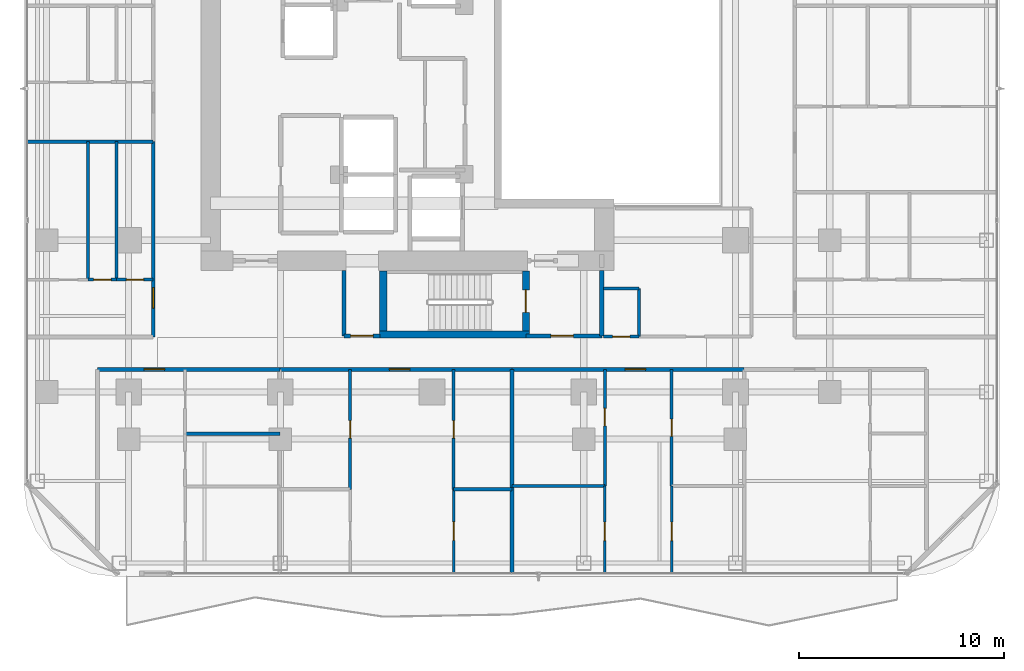
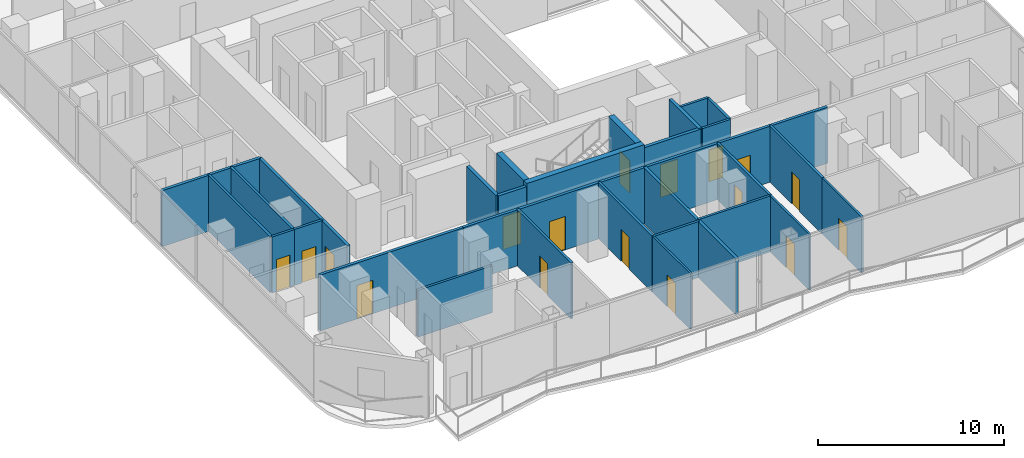
# One storey, part 18 of 29: 30 walls, 17 doors, 17 openings.
"""IFC4 building model written with IfcOpenShell, lengths in metres."""

from ifc_helpers import new_model, si_unit, direction, frame, frame_2d, origin, place, context, subcontext, project, spatial, rectangle, extrude, material, layer, layer_set, type_object, element, fill, save


model = new_model("IFC4")

# Units and contexts
model_context = context("Model", 3, precision=1e-05, world=origin(), true_north=direction((0.0, 1.0)))
body_context = subcontext(model_context, "Body", "Model", "MODEL_VIEW")
ifc_project = project(units=[si_unit("LENGTHUNIT", "METRE"), si_unit("AREAUNIT", "SQUARE_METRE"), si_unit("VOLUMEUNIT", "CUBIC_METRE"), si_unit("PLANEANGLEUNIT", "RADIAN"), si_unit("MASSUNIT", "GRAM", prefix="KILO")], contexts=[model_context])

# Site, building, storey
site_placement = place(None, origin())
site = spatial("IfcSite", under=ifc_project, at=site_placement, CompositionType="ELEMENT")
building_placement = place(site_placement, origin())
building = spatial("IfcBuilding", under=site, at=building_placement, Name="Khorvyn Point Tower", CompositionType="ELEMENT")
storey_placement = place(building_placement, frame((0.0, 0.0, 144.60009765625)))
storey = spatial("IfcBuildingStorey", under=building, at=storey_placement, Name="L36", CompositionType="ELEMENT", Elevation=144.60009765625)

# Wall, opening, door
ifc_material_1 = material(Name="Double acoustic gypsum on twin steel stud", Category="steel")
ifc_layer_1 = layer(ifc_material_1, 0.179931640625)
ifc_layer_set_1 = layer_set([ifc_layer_1], Name="Acoustic Double-Stud Apartment Demising Wall 180")
wall_type_1 = type_object("IfcWallType", Name="Acoustic Double-Stud Apartment Demising Wall 180", PredefinedType="PARTITIONING", material=ifc_layer_set_1)
wall_1_placement = place(storey_placement, frame((-16.320068359375, -13.699951171875, 0.0), z_axis=(0.0, 0.0, 1.0), x_axis=(1.0, 0.0, 0.0)))
wall_1 = element("IfcWall", 1, at=wall_1_placement, inside=storey, type_object=wall_type_1, Name="Wall", PredefinedType="PARTITIONING", context=body_context, shape_type="SweptSolid", body=[
    extrude(rectangle(XDim=8.89697265625, YDim=0.179931640625, at=frame_2d((4.448486328125, 0.0))), origin(), (0.0, 0.0, 1.0), 3.679931640625),
])
opening_1_placement = place(wall_1_placement, frame((2.2744140625, 0.0, 0.0)))
opening_1 = element("IfcOpeningElement", 2, at=opening_1_placement, cuts=wall_1, Name="Opening ID-AP60", PredefinedType="OPENING", context=body_context, shape_type="SweptSolid", body=[
    extrude(rectangle(XDim=1.0, YDim=2.199951171875, at=frame_2d((0.5, 1.10009765625))), frame((0.0, 0.099853515625, 0.0), z_axis=(0.0, -1.0, 0.0), x_axis=(1.0, 0.0, 0.0)), (0.0, 0.0, 1.0), 0.199951171875),
])
ifc_material_2 = material(Name="Engineered hardwood fire-rated leaf", Category="wood")
door_type_1 = type_object("IfcDoorType", Name="Acoustic Solid-Core Timber Apartment Entrance Door 1000x2200", OperationType="NOTDEFINED", PredefinedType="DOOR", material=ifc_material_2)
door_1_placement = place(opening_1_placement, origin())
door_1 = element("IfcDoor", 3, at=door_1_placement, inside=storey, type_object=door_type_1, Name="Door", OperationType="SINGLE_SWING_LEFT", OverallHeight=2.199951171875, OverallWidth=1.0, PredefinedType="DOOR", context=body_context, shape_type="SweptSolid", body=[
    extrude(rectangle(XDim=1.0, YDim=2.199951171875, at=frame_2d((0.5, 1.10009765625))), frame((0.0, 0.02490234375, 0.0), z_axis=(0.0, -1.0, 0.0), x_axis=(1.0, 0.0, 0.0)), (0.0, 0.0, 1.0), 0.050048828125),
])
fill(opening_1, door_1)

wall_2_placement = place(storey_placement, frame((-7.423095703125, -13.699951171875, 0.0), z_axis=(0.0, 0.0, 1.0), x_axis=(1.0, 0.0, 0.0)))
wall_2 = element("IfcWall", 4, at=wall_2_placement, inside=storey, type_object=wall_type_1, Name="Wall", PredefinedType="PARTITIONING", context=body_context, shape_type="SweptSolid", body=[
    extrude(rectangle(XDim=11.322998046875, YDim=0.179931640625, at=frame_2d((5.66162109375, 0.0))), origin(), (0.0, 0.0, 1.0), 3.679931640625),
])
opening_2_placement = place(wall_2_placement, frame((5.340087890625, 0.0, 0.0)))
opening_2 = element("IfcOpeningElement", 5, at=opening_2_placement, cuts=wall_2, Name="Opening ID-AP60", PredefinedType="OPENING", context=body_context, shape_type="SweptSolid", body=[
    extrude(rectangle(XDim=1.0, YDim=2.199951171875, at=frame_2d((0.5, 1.10009765625))), frame((0.0, 0.099853515625, 0.0), z_axis=(0.0, -1.0, 0.0), x_axis=(1.0, 0.0, 0.0)), (0.0, 0.0, 1.0), 0.199951171875),
])
door_2_placement = place(opening_2_placement, origin())
door_2 = element("IfcDoor", 6, at=door_2_placement, inside=storey, type_object=door_type_1, Name="Door", OperationType="SINGLE_SWING_LEFT", OverallHeight=2.199951171875, OverallWidth=1.0, PredefinedType="DOOR", context=body_context, shape_type="SweptSolid", body=[
    extrude(rectangle(XDim=1.0, YDim=2.199951171875, at=frame_2d((0.5, 1.10009765625))), frame((0.0, 0.02490234375, 0.0), z_axis=(0.0, -1.0, 0.0), x_axis=(1.0, 0.0, 0.0)), (0.0, 0.0, 1.0), 0.050048828125),
])
fill(opening_2, door_2)

wall_3_placement = place(storey_placement, frame((3.89990234375, -13.699951171875, 0.0), z_axis=(0.0, 0.0, 1.0), x_axis=(1.0, 0.0, 0.0)))
wall_3 = element("IfcWall", 7, at=wall_3_placement, inside=storey, type_object=wall_type_1, Name="Wall", PredefinedType="PARTITIONING", context=body_context, shape_type="SweptSolid", body=[
    extrude(rectangle(XDim=11.322998046875, YDim=0.179931640625, at=frame_2d((5.66162109375, 0.0))), origin(), (0.0, 0.0, 1.0), 3.679931640625),
])
opening_3_placement = place(wall_3_placement, frame((5.518798828125, 0.0, 0.0)))
opening_3 = element("IfcOpeningElement", 8, at=opening_3_placement, cuts=wall_3, Name="Opening ID-AP60", PredefinedType="OPENING", context=body_context, shape_type="SweptSolid", body=[
    extrude(rectangle(XDim=1.0, YDim=2.199951171875, at=frame_2d((0.5, 1.10009765625))), frame((0.0, 0.099853515625, 0.0), z_axis=(0.0, -1.0, 0.0), x_axis=(1.0, 0.0, 0.0)), (0.0, 0.0, 1.0), 0.199951171875),
])
door_3_placement = place(opening_3_placement, origin())
door_3 = element("IfcDoor", 9, at=door_3_placement, inside=storey, type_object=door_type_1, Name="Door", OperationType="SINGLE_SWING_RIGHT", OverallHeight=2.199951171875, OverallWidth=1.0, PredefinedType="DOOR", context=body_context, shape_type="SweptSolid", body=[
    extrude(rectangle(XDim=1.0, YDim=2.199951171875, at=frame_2d((0.5, 1.10009765625))), frame((0.0, 0.02490234375, 0.0), z_axis=(0.0, -1.0, 0.0), x_axis=(1.0, 0.0, 0.0)), (0.0, 0.0, 1.0), 0.050048828125),
])
fill(opening_3, door_3)

wall_4_placement = place(storey_placement, frame((-13.60009765625, -12.1201171875, 0.0), z_axis=(0.0, 0.0, 1.0), x_axis=(0.0, 1.0, 0.0)))
wall_4 = element("IfcWall", 10, at=wall_4_placement, inside=storey, type_object=wall_type_1, Name="Wall", PredefinedType="PARTITIONING", context=body_context, shape_type="SweptSolid", body=[
    extrude(rectangle(XDim=9.5341796875, YDim=0.179931640625, at=frame_2d((4.76708984375, 0.0))), origin(), (0.0, 0.0, 1.0), 3.679931640625),
])
opening_4_placement = place(wall_4_placement, frame((1.409912109375, 0.0, 0.0)))
opening_4 = element("IfcOpeningElement", 11, at=opening_4_placement, cuts=wall_4, Name="Opening ID-AP60", PredefinedType="OPENING", context=body_context, shape_type="SweptSolid", body=[
    extrude(rectangle(XDim=1.0, YDim=2.199951171875, at=frame_2d((0.5, 1.10009765625))), frame((0.0, 0.099853515625, 0.0), z_axis=(0.0, -1.0, 0.0), x_axis=(1.0, 0.0, 0.0)), (0.0, 0.0, 1.0), 0.199951171875),
])
door_4_placement = place(opening_4_placement, origin())
door_4 = element("IfcDoor", 12, at=door_4_placement, inside=storey, type_object=door_type_1, Name="Door", OperationType="SINGLE_SWING_LEFT", OverallHeight=2.199951171875, OverallWidth=1.0, PredefinedType="DOOR", context=body_context, shape_type="SweptSolid", body=[
    extrude(rectangle(XDim=1.0, YDim=2.199951171875, at=frame_2d((0.5, 1.10009765625))), frame((0.0, 0.02490234375, 0.0), z_axis=(0.0, -1.0, 0.0), x_axis=(1.0, 0.0, 0.0)), (0.0, 0.0, 1.0), 0.050048828125),
])
fill(opening_4, door_4)

# Walls
wall_5_placement = place(storey_placement, frame((3.89990234375, -23.6298828125, 0.0), z_axis=(0.0, 0.0, 1.0), x_axis=(0.0, 1.0, 0.0)))
element("IfcWall", 13, at=wall_5_placement, inside=storey, type_object=wall_type_1, Name="Wall", PredefinedType="PARTITIONING", context=body_context, shape_type="SweptSolid", body=[
    extrude(rectangle(XDim=9.929931640625, YDim=0.179931640625, at=frame_2d((4.96484375, 0.0))), origin(), (0.0, 0.0, 1.0), 3.679931640625),
])
wall_6_placement = place(storey_placement, frame((-19.72998046875, -2.5859375, 0.0), z_axis=(0.0, 0.0, 1.0), x_axis=(1.0, 0.0, 0.0)))
element("IfcWall", 14, at=wall_6_placement, inside=storey, type_object=wall_type_1, Name="Wall", PredefinedType="PARTITIONING", context=body_context, shape_type="SweptSolid", body=[
    extrude(rectangle(XDim=6.1298828125, YDim=0.179931640625, at=frame_2d((3.06494140625, 0.0))), origin(), (0.0, 0.0, 1.0), 3.679931640625),
])

# Wall, opening, door
ifc_material_3 = material(Name="Concrete C40/50", Category="concrete")
ifc_layer_2 = layer(ifc_material_3, 0.199951171875)
ifc_layer_set_2 = layer_set([ifc_layer_2], Name="Concrete C40/50 Fire-Lobby Compartment Wall 200")
wall_type_2 = type_object("IfcWallType", Name="Concrete C40/50 Fire-Lobby Compartment Wall 200", PredefinedType="SOLIDWALL", material=ifc_layer_set_2)
wall_7_placement = place(storey_placement, frame((4.580078125, -12.06005859375, 0.0), z_axis=(0.0, 0.0, 1.0), x_axis=(1.0, 0.0, 0.0)))
wall_7 = element("IfcWall", 15, at=wall_7_placement, inside=storey, type_object=wall_type_2, Name="Wall", PredefinedType="SOLIDWALL", context=body_context, shape_type="SweptSolid", body=[
    extrude(rectangle(XDim=3.699951171875, YDim=0.199951171875, at=frame_2d((1.85009765625, 0.0))), origin(), (0.0, 0.0, 1.0), 3.679931640625),
])
opening_5_placement = place(wall_7_placement, frame((1.21240234375, 0.0, 0.0)))
opening_5 = element("IfcOpeningElement", 16, at=opening_5_placement, cuts=wall_7, Name="Opening ID-FL90", PredefinedType="OPENING", context=body_context, shape_type="SweptSolid", body=[
    extrude(rectangle(XDim=1.10009765625, YDim=2.14990234375, at=frame_2d((0.550048828125, 1.074951171875))), frame((0.0, 0.10986328125, 0.0), z_axis=(0.0, -1.0, 0.0), x_axis=(1.0, 0.0, 0.0)), (0.0, 0.0, 1.0), 0.219970703125),
])
ifc_material_4 = material(Name="Galvanised powder-coated steel", Category="steel")
door_type_2 = type_object("IfcDoorType", Name="Fire-Rated Steel Lobby and Stair Door 1100x2150", OperationType="NOTDEFINED", PredefinedType="DOOR", material=ifc_material_4)
door_5_placement = place(opening_5_placement, origin())
door_5 = element("IfcDoor", 17, at=door_5_placement, inside=storey, type_object=door_type_2, Name="Door", OperationType="SINGLE_SWING_RIGHT", OverallHeight=2.14990234375, OverallWidth=1.10009765625, PredefinedType="DOOR", context=body_context, shape_type="SweptSolid", body=[
    extrude(rectangle(XDim=1.10009765625, YDim=2.14990234375, at=frame_2d((0.550048828125, 1.074951171875))), frame((0.0, 0.02490234375, 0.0), z_axis=(0.0, -1.0, 0.0), x_axis=(1.0, 0.0, 0.0)), (0.0, 0.0, 1.0), 0.050048828125),
])
fill(opening_5, door_5)

wall_8_placement = place(storey_placement, frame((-4.300048828125, -12.06005859375, 0.0), z_axis=(0.0, 0.0, 1.0), x_axis=(1.0, 0.0, 0.0)))
wall_8 = element("IfcWall", 18, at=wall_8_placement, inside=storey, type_object=wall_type_2, Name="Wall", PredefinedType="SOLIDWALL", context=body_context, shape_type="SweptSolid", body=[
    extrude(rectangle(XDim=1.75, YDim=0.199951171875, at=frame_2d((0.875, 0.0))), origin(), (0.0, 0.0, 1.0), 3.679931640625),
])
opening_6_placement = place(wall_8_placement, frame((0.324951171875, 0.0, 0.0)))
opening_6 = element("IfcOpeningElement", 19, at=opening_6_placement, cuts=wall_8, Name="Opening ID-FL90", PredefinedType="OPENING", context=body_context, shape_type="SweptSolid", body=[
    extrude(rectangle(XDim=1.10009765625, YDim=2.14990234375, at=frame_2d((0.550048828125, 1.074951171875))), frame((0.0, 0.10986328125, 0.0), z_axis=(0.0, -1.0, 0.0), x_axis=(1.0, 0.0, 0.0)), (0.0, 0.0, 1.0), 0.219970703125),
])
door_6_placement = place(opening_6_placement, origin())
door_6 = element("IfcDoor", 20, at=door_6_placement, inside=storey, type_object=door_type_2, Name="Door", OperationType="SINGLE_SWING_LEFT", OverallHeight=2.14990234375, OverallWidth=1.10009765625, PredefinedType="DOOR", context=body_context, shape_type="SweptSolid", body=[
    extrude(rectangle(XDim=1.10009765625, YDim=2.14990234375, at=frame_2d((0.550048828125, 1.074951171875))), frame((0.0, 0.02490234375, 0.0), z_axis=(0.0, -1.0, 0.0), x_axis=(1.0, 0.0, 0.0)), (0.0, 0.0, 1.0), 0.050048828125),
])
fill(opening_6, door_6)

# Walls
for number, where, z_axis, x_axis, name in (
    (21, (8.280029296875, -12.06005859375, 0.0), (0.0, 0.0, 1.0), (0.0, 1.0, 0.0), "Wall"),
    (22, (-4.300048828125, -12.06005859375, 0.0), (0.0, 0.0, 1.0), (0.0, 1.0, 0.0), "Wall"),
):
    element("IfcWall", number, at=place(storey_placement, frame(where, z_axis=z_axis, x_axis=x_axis)), inside=storey, type_object=wall_type_2, Name=name, PredefinedType="SOLIDWALL", context=body_context, shape_type="SweptSolid", body=[
        extrude(rectangle(XDim=3.18505859375, YDim=0.199951171875, at=frame_2d((1.592529296875, 0.0))), origin(), (0.0, 0.0, 1.0), 3.679931640625),
    ])
ifc_layer_3 = layer(ifc_material_3, 0.35009765625)
ifc_layer_set_3 = layer_set([ifc_layer_3], Name="Concrete C40/50 Stair Shaft Structural Wall 350")
wall_type_3 = type_object("IfcWallType", Name="Concrete C40/50 Stair Shaft Structural Wall 350", PredefinedType="SHEAR", material=ifc_layer_set_3)
wall_9_placement = place(storey_placement, frame((-2.554931640625, -12.0, 0.0), z_axis=(0.0, 0.0, 1.0), x_axis=(1.0, 0.0, 0.0)))
element("IfcWall", 23, at=wall_9_placement, inside=storey, type_object=wall_type_3, Name="L36 ST-01 South Shaft Wall", PredefinedType="SHEAR", context=body_context, shape_type="SweptSolid", body=[
    extrude(rectangle(XDim=7.309814453125, YDim=0.35009765625, at=frame_2d((3.65478515625, 0.0))), origin(), (0.0, 0.0, 1.0), 3.89990234375),
])
wall_10_placement = place(storey_placement, frame((-2.3798828125, -11.824951171875, 0.0), z_axis=(0.0, 0.0, 1.0), x_axis=(0.0, 1.0, 0.0)))
element("IfcWall", 24, at=wall_10_placement, inside=storey, type_object=wall_type_3, Name="L36 ST-01 West Shaft Wall", PredefinedType="SHEAR", context=body_context, shape_type="SweptSolid", body=[
    extrude(rectangle(XDim=2.925048828125, YDim=0.35009765625, at=frame_2d((1.46240234375, 0.0))), origin(), (0.0, 0.0, 1.0), 3.89990234375),
])

# Wall, opening, door
wall_11_placement = place(storey_placement, frame((4.580078125, -8.89990234375, 0.0), z_axis=(0.0, 0.0, 1.0), x_axis=(0.0, -1.0, 0.0)))
wall_11 = element("IfcWall", 25, at=wall_11_placement, inside=storey, type_object=wall_type_3, Name="L36 ST-01 East Landing Door Wall", PredefinedType="SHEAR", context=body_context, shape_type="SweptSolid", body=[
    extrude(rectangle(XDim=2.925048828125, YDim=0.35009765625, at=frame_2d((1.46240234375, 0.0))), origin(), (0.0, 0.0, 1.0), 3.89990234375),
])
opening_7_placement = place(wall_11_placement, frame((0.91259765625, 0.0, 0.0)))
opening_7 = element("IfcOpeningElement", 26, at=opening_7_placement, cuts=wall_11, Name="Opening ID-FL90", PredefinedType="OPENING", context=body_context, shape_type="SweptSolid", body=[
    extrude(rectangle(XDim=1.10009765625, YDim=2.14990234375, at=frame_2d((0.550048828125, 1.074951171875))), frame((0.0, 0.18505859375, 0.0), z_axis=(0.0, -1.0, 0.0), x_axis=(1.0, 0.0, 0.0)), (0.0, 0.0, 1.0), 0.3701171875),
])
door_7_placement = place(opening_7_placement, origin())
door_7 = element("IfcDoor", 27, at=door_7_placement, inside=storey, type_object=door_type_2, Name="L36 ST-01 Smokeproof Landing Door", OperationType="SINGLE_SWING_RIGHT", OverallHeight=2.14990234375, OverallWidth=1.10009765625, PredefinedType="DOOR", context=body_context, shape_type="SweptSolid", body=[
    extrude(rectangle(XDim=1.10009765625, YDim=2.14990234375, at=frame_2d((0.550048828125, 1.074951171875))), frame((0.0, 0.02490234375, 0.0), z_axis=(0.0, -1.0, 0.0), x_axis=(1.0, 0.0, 0.0)), (0.0, 0.0, 1.0), 0.050048828125),
])
fill(opening_7, door_7)

ifc_material_5 = material(Name="Gypsum plasterboard on steel stud", Category="steel")
ifc_layer_4 = layer(ifc_material_5, 0.1201171875)
ifc_layer_set_4 = layer_set([ifc_layer_4], Name="Gypsum Acoustic Stud Room Partition Wall 120")
wall_type_4 = type_object("IfcWallType", Name="Gypsum Acoustic Stud Room Partition Wall 120", PredefinedType="PARTITIONING", material=ifc_layer_set_4)
wall_12_placement = place(storey_placement, frame((1.050048828125, -23.6298828125, 0.0), z_axis=(0.0, 0.0, 1.0), x_axis=(0.0, 1.0, 0.0)))
wall_12 = element("IfcWall", 28, at=wall_12_placement, inside=storey, type_object=wall_type_4, Name="Wall", PredefinedType="PARTITIONING", context=body_context, shape_type="SweptSolid", body=[
    extrude(rectangle(XDim=4.0849609375, YDim=0.1201171875, at=frame_2d((2.04248046875, 0.0))), origin(), (0.0, 0.0, 1.0), 3.679931640625),
])
opening_8_placement = place(wall_12_placement, frame((1.592529296875, 0.0, 0.0)))
opening_8 = element("IfcOpeningElement", 29, at=opening_8_placement, cuts=wall_12, Name="Opening ID-RM90", PredefinedType="OPENING", context=body_context, shape_type="SweptSolid", body=[
    extrude(rectangle(XDim=0.89990234375, YDim=2.10009765625, at=frame_2d((0.449951171875, 1.050048828125))), frame((0.0, 0.070068359375, 0.0), z_axis=(0.0, -1.0, 0.0), x_axis=(1.0, 0.0, 0.0)), (0.0, 0.0, 1.0), 0.14013671875),
])
ifc_material_6 = material(Name="Engineered oak veneer timber", Category="wood")
door_type_3 = type_object("IfcDoorType", Name="Flush Engineered Timber Room Door 900x2100", OperationType="NOTDEFINED", PredefinedType="DOOR", material=ifc_material_6)
door_8_placement = place(opening_8_placement, origin())
door_8 = element("IfcDoor", 30, at=door_8_placement, inside=storey, type_object=door_type_3, Name="Door", OperationType="SINGLE_SWING_LEFT", OverallHeight=2.10009765625, OverallWidth=0.89990234375, PredefinedType="DOOR", context=body_context, shape_type="SweptSolid", body=[
    extrude(rectangle(XDim=0.89990234375, YDim=2.10009765625, at=frame_2d((0.449951171875, 1.050048828125))), frame((0.0, 0.02490234375, 0.0), z_axis=(0.0, -1.0, 0.0), x_axis=(1.0, 0.0, 0.0)), (0.0, 0.0, 1.0), 0.050048828125),
])
fill(opening_8, door_8)

wall_13_placement = place(storey_placement, frame((8.428955078125, -23.6298828125, 0.0), z_axis=(0.0, 0.0, 1.0), x_axis=(0.0, 1.0, 0.0)))
wall_13 = element("IfcWall", 31, at=wall_13_placement, inside=storey, type_object=wall_type_4, Name="Wall", PredefinedType="PARTITIONING", context=body_context, shape_type="SweptSolid", body=[
    extrude(rectangle(XDim=4.239990234375, YDim=0.1201171875, at=frame_2d((2.1201171875, 0.0))), origin(), (0.0, 0.0, 1.0), 3.679931640625),
])
opening_9_placement = place(wall_13_placement, frame((1.581298828125, 0.0, 0.0)))
opening_9 = element("IfcOpeningElement", 32, at=opening_9_placement, cuts=wall_13, Name="Opening ID-RM90", PredefinedType="OPENING", context=body_context, shape_type="SweptSolid", body=[
    extrude(rectangle(XDim=0.89990234375, YDim=2.10009765625, at=frame_2d((0.449951171875, 1.050048828125))), frame((0.0, 0.070068359375, 0.0), z_axis=(0.0, -1.0, 0.0), x_axis=(1.0, 0.0, 0.0)), (0.0, 0.0, 1.0), 0.14013671875),
])
door_9_placement = place(opening_9_placement, origin())
door_9 = element("IfcDoor", 33, at=door_9_placement, inside=storey, type_object=door_type_3, Name="Door", OperationType="SINGLE_SWING_RIGHT", OverallHeight=2.10009765625, OverallWidth=0.89990234375, PredefinedType="DOOR", context=body_context, shape_type="SweptSolid", body=[
    extrude(rectangle(XDim=0.89990234375, YDim=2.10009765625, at=frame_2d((0.449951171875, 1.050048828125))), frame((0.0, 0.02490234375, 0.0), z_axis=(0.0, -1.0, 0.0), x_axis=(1.0, 0.0, 0.0)), (0.0, 0.0, 1.0), 0.050048828125),
])
fill(opening_9, door_9)

wall_14_placement = place(storey_placement, frame((11.68994140625, -23.6298828125, 0.0), z_axis=(0.0, 0.0, 1.0), x_axis=(0.0, 1.0, 0.0)))
wall_14 = element("IfcWall", 34, at=wall_14_placement, inside=storey, type_object=wall_type_4, Name="Wall", PredefinedType="PARTITIONING", context=body_context, shape_type="SweptSolid", body=[
    extrude(rectangle(XDim=4.239990234375, YDim=0.1201171875, at=frame_2d((2.1201171875, 0.0))), origin(), (0.0, 0.0, 1.0), 3.679931640625),
])
opening_10_placement = place(wall_14_placement, frame((1.581298828125, 0.0, 0.0)))
opening_10 = element("IfcOpeningElement", 35, at=opening_10_placement, cuts=wall_14, Name="Opening ID-RM90", PredefinedType="OPENING", context=body_context, shape_type="SweptSolid", body=[
    extrude(rectangle(XDim=0.89990234375, YDim=2.10009765625, at=frame_2d((0.449951171875, 1.050048828125))), frame((0.0, 0.070068359375, 0.0), z_axis=(0.0, -1.0, 0.0), x_axis=(1.0, 0.0, 0.0)), (0.0, 0.0, 1.0), 0.14013671875),
])
door_10_placement = place(opening_10_placement, origin())
door_10 = element("IfcDoor", 36, at=door_10_placement, inside=storey, type_object=door_type_3, Name="Door", OperationType="SINGLE_SWING_RIGHT", OverallHeight=2.10009765625, OverallWidth=0.89990234375, PredefinedType="DOOR", context=body_context, shape_type="SweptSolid", body=[
    extrude(rectangle(XDim=0.89990234375, YDim=2.10009765625, at=frame_2d((0.449951171875, 1.050048828125))), frame((0.0, 0.02490234375, 0.0), z_axis=(0.0, -1.0, 0.0), x_axis=(1.0, 0.0, 0.0)), (0.0, 0.0, 1.0), 0.050048828125),
])
fill(opening_10, door_10)

ifc_material_7 = material(Name="Moisture-resistant gypsum and cement board", Category="gypsum")
ifc_layer_5 = layer(ifc_material_7, 0.14990234375)
ifc_layer_set_5 = layer_set([ifc_layer_5], Name="Moisture-Resistant Wet-Room Partition Wall 150")
wall_type_5 = type_object("IfcWallType", Name="Moisture-Resistant Wet-Room Partition Wall 150", PredefinedType="PARTITIONING", material=ifc_layer_set_5)
wall_15_placement = place(storey_placement, frame((8.360107421875, -12.10009765625, 0.0), z_axis=(0.0, 0.0, 1.0), x_axis=(1.0, 0.0, 0.0)))
wall_15 = element("IfcWall", 37, at=wall_15_placement, inside=storey, type_object=wall_type_5, Name="Wall", PredefinedType="PARTITIONING", context=body_context, shape_type="SweptSolid", body=[
    extrude(rectangle(XDim=1.739990234375, YDim=0.14990234375, at=frame_2d((0.8701171875, 0.0))), origin(), (0.0, 0.0, 1.0), 3.679931640625),
])
opening_11_placement = place(wall_15_placement, frame((0.445068359375, 0.0, 0.0)))
opening_11 = element("IfcOpeningElement", 38, at=opening_11_placement, cuts=wall_15, Name="Opening ID-WC85", PredefinedType="OPENING", context=body_context, shape_type="SweptSolid", body=[
    extrude(rectangle(XDim=0.85009765625, YDim=2.10009765625, at=frame_2d((0.425048828125, 1.050048828125))), frame((0.0, 0.0849609375, 0.0), z_axis=(0.0, -1.0, 0.0), x_axis=(1.0, 0.0, 0.0)), (0.0, 0.0, 1.0), 0.169921875),
])
ifc_material_8 = material(Name="High-pressure laminate on moisture-resistant core", Category="wood")
door_type_4 = type_object("IfcDoorType", Name="Moisture-Resistant Accessible Washroom Door 850x2100", OperationType="NOTDEFINED", PredefinedType="DOOR", material=ifc_material_8)
door_11_placement = place(opening_11_placement, origin())
door_11 = element("IfcDoor", 39, at=door_11_placement, inside=storey, type_object=door_type_4, Name="Door", OperationType="SINGLE_SWING_LEFT", OverallHeight=2.10009765625, OverallWidth=0.85009765625, PredefinedType="DOOR", context=body_context, shape_type="SweptSolid", body=[
    extrude(rectangle(XDim=0.85009765625, YDim=2.10009765625, at=frame_2d((0.425048828125, 1.050048828125))), frame((0.0, 0.02490234375, 0.0), z_axis=(0.0, -1.0, 0.0), x_axis=(1.0, 0.0, 0.0)), (0.0, 0.0, 1.0), 0.050048828125),
])
fill(opening_11, door_11)

wall_16_placement = place(storey_placement, frame((-4.0009765625, -19.544921875, 0.0), z_axis=(0.0, 0.0, 1.0), x_axis=(0.0, 1.0, 0.0)))
wall_16 = element("IfcWall", 40, at=wall_16_placement, inside=storey, type_object=wall_type_5, Name="Wall", PredefinedType="PARTITIONING", context=body_context, shape_type="SweptSolid", body=[
    extrude(rectangle(XDim=5.844970703125, YDim=0.14990234375, at=frame_2d((2.92236328125, 0.0))), origin(), (0.0, 0.0, 1.0), 3.679931640625),
])
opening_12_placement = place(wall_16_placement, frame((2.49755859375, 0.0, 0.0)))
opening_12 = element("IfcOpeningElement", 41, at=opening_12_placement, cuts=wall_16, Name="Opening ID-WC85", PredefinedType="OPENING", context=body_context, shape_type="SweptSolid", body=[
    extrude(rectangle(XDim=0.85009765625, YDim=2.10009765625, at=frame_2d((0.425048828125, 1.050048828125))), frame((0.0, 0.0849609375, 0.0), z_axis=(0.0, -1.0, 0.0), x_axis=(1.0, 0.0, 0.0)), (0.0, 0.0, 1.0), 0.169921875),
])
door_12_placement = place(opening_12_placement, origin())
door_12 = element("IfcDoor", 42, at=door_12_placement, inside=storey, type_object=door_type_4, Name="Door", OperationType="SINGLE_SWING_RIGHT", OverallHeight=2.10009765625, OverallWidth=0.85009765625, PredefinedType="DOOR", context=body_context, shape_type="SweptSolid", body=[
    extrude(rectangle(XDim=0.85009765625, YDim=2.10009765625, at=frame_2d((0.425048828125, 1.050048828125))), frame((0.0, 0.02490234375, 0.0), z_axis=(0.0, -1.0, 0.0), x_axis=(1.0, 0.0, 0.0)), (0.0, 0.0, 1.0), 0.050048828125),
])
fill(opening_12, door_12)

wall_17_placement = place(storey_placement, frame((1.050048828125, -19.544921875, 0.0), z_axis=(0.0, 0.0, 1.0), x_axis=(0.0, 1.0, 0.0)))
wall_17 = element("IfcWall", 43, at=wall_17_placement, inside=storey, type_object=wall_type_5, Name="Wall", PredefinedType="PARTITIONING", context=body_context, shape_type="SweptSolid", body=[
    extrude(rectangle(XDim=5.844970703125, YDim=0.14990234375, at=frame_2d((2.92236328125, 0.0))), origin(), (0.0, 0.0, 1.0), 3.679931640625),
])
opening_13_placement = place(wall_17_placement, frame((2.49755859375, 0.0, 0.0)))
opening_13 = element("IfcOpeningElement", 44, at=opening_13_placement, cuts=wall_17, Name="Opening ID-WC85", PredefinedType="OPENING", context=body_context, shape_type="SweptSolid", body=[
    extrude(rectangle(XDim=0.85009765625, YDim=2.10009765625, at=frame_2d((0.425048828125, 1.050048828125))), frame((0.0, 0.0849609375, 0.0), z_axis=(0.0, -1.0, 0.0), x_axis=(1.0, 0.0, 0.0)), (0.0, 0.0, 1.0), 0.169921875),
])
door_13_placement = place(opening_13_placement, origin())
door_13 = element("IfcDoor", 45, at=door_13_placement, inside=storey, type_object=door_type_4, Name="Door", OperationType="SINGLE_SWING_RIGHT", OverallHeight=2.10009765625, OverallWidth=0.85009765625, PredefinedType="DOOR", context=body_context, shape_type="SweptSolid", body=[
    extrude(rectangle(XDim=0.85009765625, YDim=2.10009765625, at=frame_2d((0.425048828125, 1.050048828125))), frame((0.0, 0.02490234375, 0.0), z_axis=(0.0, -1.0, 0.0), x_axis=(1.0, 0.0, 0.0)), (0.0, 0.0, 1.0), 0.050048828125),
])
fill(opening_13, door_13)

wall_18_placement = place(storey_placement, frame((8.428955078125, -19.389892578125, 0.0), z_axis=(0.0, 0.0, 1.0), x_axis=(0.0, 1.0, 0.0)))
wall_18 = element("IfcWall", 46, at=wall_18_placement, inside=storey, type_object=wall_type_5, Name="Wall", PredefinedType="PARTITIONING", context=body_context, shape_type="SweptSolid", body=[
    extrude(rectangle(XDim=5.68994140625, YDim=0.14990234375, at=frame_2d((2.844970703125, 0.0))), origin(), (0.0, 0.0, 1.0), 3.679931640625),
])
opening_14_placement = place(wall_18_placement, frame((2.94140625, 0.0, 0.0)))
opening_14 = element("IfcOpeningElement", 47, at=opening_14_placement, cuts=wall_18, Name="Opening ID-WC85", PredefinedType="OPENING", context=body_context, shape_type="SweptSolid", body=[
    extrude(rectangle(XDim=0.85009765625, YDim=2.10009765625, at=frame_2d((0.425048828125, 1.050048828125))), frame((0.0, 0.0849609375, 0.0), z_axis=(0.0, -1.0, 0.0), x_axis=(1.0, 0.0, 0.0)), (0.0, 0.0, 1.0), 0.169921875),
])
door_14_placement = place(opening_14_placement, origin())
door_14 = element("IfcDoor", 48, at=door_14_placement, inside=storey, type_object=door_type_4, Name="Door", OperationType="SINGLE_SWING_LEFT", OverallHeight=2.10009765625, OverallWidth=0.85009765625, PredefinedType="DOOR", context=body_context, shape_type="SweptSolid", body=[
    extrude(rectangle(XDim=0.85009765625, YDim=2.10009765625, at=frame_2d((0.425048828125, 1.050048828125))), frame((0.0, 0.02490234375, 0.0), z_axis=(0.0, -1.0, 0.0), x_axis=(1.0, 0.0, 0.0)), (0.0, 0.0, 1.0), 0.050048828125),
])
fill(opening_14, door_14)

wall_19_placement = place(storey_placement, frame((11.68994140625, -19.389892578125, 0.0), z_axis=(0.0, 0.0, 1.0), x_axis=(0.0, 1.0, 0.0)))
wall_19 = element("IfcWall", 49, at=wall_19_placement, inside=storey, type_object=wall_type_5, Name="Wall", PredefinedType="PARTITIONING", context=body_context, shape_type="SweptSolid", body=[
    extrude(rectangle(XDim=5.68994140625, YDim=0.14990234375, at=frame_2d((2.844970703125, 0.0))), origin(), (0.0, 0.0, 1.0), 3.679931640625),
])
opening_15_placement = place(wall_19_placement, frame((2.419921875, 0.0, 0.0)))
opening_15 = element("IfcOpeningElement", 50, at=opening_15_placement, cuts=wall_19, Name="Opening ID-WC85", PredefinedType="OPENING", context=body_context, shape_type="SweptSolid", body=[
    extrude(rectangle(XDim=0.85009765625, YDim=2.10009765625, at=frame_2d((0.425048828125, 1.050048828125))), frame((0.0, 0.0849609375, 0.0), z_axis=(0.0, -1.0, 0.0), x_axis=(1.0, 0.0, 0.0)), (0.0, 0.0, 1.0), 0.169921875),
])
door_15_placement = place(opening_15_placement, origin())
door_15 = element("IfcDoor", 51, at=door_15_placement, inside=storey, type_object=door_type_4, Name="Door", OperationType="SINGLE_SWING_LEFT", OverallHeight=2.10009765625, OverallWidth=0.85009765625, PredefinedType="DOOR", context=body_context, shape_type="SweptSolid", body=[
    extrude(rectangle(XDim=0.85009765625, YDim=2.10009765625, at=frame_2d((0.425048828125, 1.050048828125))), frame((0.0, 0.02490234375, 0.0), z_axis=(0.0, -1.0, 0.0), x_axis=(1.0, 0.0, 0.0)), (0.0, 0.0, 1.0), 0.050048828125),
])
fill(opening_15, door_15)

wall_20_placement = place(storey_placement, frame((-16.783935546875, -9.320068359375, 0.0), z_axis=(0.0, 0.0, 1.0), x_axis=(1.0, 0.0, 0.0)))
wall_20 = element("IfcWall", 52, at=wall_20_placement, inside=storey, type_object=wall_type_5, Name="Wall", PredefinedType="PARTITIONING", context=body_context, shape_type="SweptSolid", body=[
    extrude(rectangle(XDim=1.39990234375, YDim=0.14990234375, at=frame_2d((0.699951171875, 0.0))), origin(), (0.0, 0.0, 1.0), 3.679931640625),
])
opening_16_placement = place(wall_20_placement, frame((0.27490234375, 0.0, 0.0)))
opening_16 = element("IfcOpeningElement", 53, at=opening_16_placement, cuts=wall_20, Name="Opening ID-WC85", PredefinedType="OPENING", context=body_context, shape_type="SweptSolid", body=[
    extrude(rectangle(XDim=0.85009765625, YDim=2.10009765625, at=frame_2d((0.425048828125, 1.050048828125))), frame((0.0, 0.0849609375, 0.0), z_axis=(0.0, -1.0, 0.0), x_axis=(1.0, 0.0, 0.0)), (0.0, 0.0, 1.0), 0.169921875),
])
door_16_placement = place(opening_16_placement, origin())
door_16 = element("IfcDoor", 54, at=door_16_placement, inside=storey, type_object=door_type_4, Name="Door", OperationType="SINGLE_SWING_RIGHT", OverallHeight=2.10009765625, OverallWidth=0.85009765625, PredefinedType="DOOR", context=body_context, shape_type="SweptSolid", body=[
    extrude(rectangle(XDim=0.85009765625, YDim=2.10009765625, at=frame_2d((0.425048828125, 1.050048828125))), frame((0.0, 0.02490234375, 0.0), z_axis=(0.0, -1.0, 0.0), x_axis=(1.0, 0.0, 0.0)), (0.0, 0.0, 1.0), 0.050048828125),
])
fill(opening_16, door_16)

wall_21_placement = place(storey_placement, frame((-15.384033203125, -9.320068359375, 0.0), z_axis=(0.0, 0.0, 1.0), x_axis=(1.0, 0.0, 0.0)))
wall_21 = element("IfcWall", 55, at=wall_21_placement, inside=storey, type_object=wall_type_5, Name="Wall", PredefinedType="PARTITIONING", context=body_context, shape_type="SweptSolid", body=[
    extrude(rectangle(XDim=1.783935546875, YDim=0.14990234375, at=frame_2d((0.89208984375, 0.0))), origin(), (0.0, 0.0, 1.0), 3.679931640625),
])
opening_17_placement = place(wall_21_placement, frame((0.467041015625, 0.0, 0.0)))
opening_17 = element("IfcOpeningElement", 56, at=opening_17_placement, cuts=wall_21, Name="Opening ID-WC85", PredefinedType="OPENING", context=body_context, shape_type="SweptSolid", body=[
    extrude(rectangle(XDim=0.85009765625, YDim=2.10009765625, at=frame_2d((0.425048828125, 1.050048828125))), frame((0.0, 0.0849609375, 0.0), z_axis=(0.0, -1.0, 0.0), x_axis=(1.0, 0.0, 0.0)), (0.0, 0.0, 1.0), 0.169921875),
])
door_17_placement = place(opening_17_placement, origin())
door_17 = element("IfcDoor", 57, at=door_17_placement, inside=storey, type_object=door_type_4, Name="Door", OperationType="SINGLE_SWING_LEFT", OverallHeight=2.10009765625, OverallWidth=0.85009765625, PredefinedType="DOOR", context=body_context, shape_type="SweptSolid", body=[
    extrude(rectangle(XDim=0.85009765625, YDim=2.10009765625, at=frame_2d((0.425048828125, 1.050048828125))), frame((0.0, 0.02490234375, 0.0), z_axis=(0.0, -1.0, 0.0), x_axis=(1.0, 0.0, 0.0)), (0.0, 0.0, 1.0), 0.050048828125),
])
fill(opening_17, door_17)

# Walls
wall_22_placement = place(storey_placement, frame((8.360107421875, -9.75, 0.0), z_axis=(0.0, 0.0, 1.0), x_axis=(1.0, 0.0, 0.0)))
element("IfcWall", 58, at=wall_22_placement, inside=storey, type_object=wall_type_5, Name="Wall", PredefinedType="PARTITIONING", context=body_context, shape_type="SweptSolid", body=[
    extrude(rectangle(XDim=1.739990234375, YDim=0.14990234375, at=frame_2d((0.8701171875, 0.0))), origin(), (0.0, 0.0, 1.0), 3.679931640625),
])
wall_23_placement = place(storey_placement, frame((10.10009765625, -12.10009765625, 0.0), z_axis=(0.0, 0.0, 1.0), x_axis=(0.0, 1.0, 0.0)))
element("IfcWall", 59, at=wall_23_placement, inside=storey, type_object=wall_type_5, Name="Wall", PredefinedType="PARTITIONING", context=body_context, shape_type="SweptSolid", body=[
    extrude(rectangle(XDim=2.35009765625, YDim=0.14990234375, at=frame_2d((1.175048828125, 0.0))), origin(), (0.0, 0.0, 1.0), 3.679931640625),
])
wall_24_placement = place(storey_placement, frame((-12.049072265625, -16.837890625, 0.0), z_axis=(0.0, 0.0, 1.0), x_axis=(1.0, 0.0, 0.0)))
element("IfcWall", 60, at=wall_24_placement, inside=storey, type_object=wall_type_5, Name="Wall", PredefinedType="PARTITIONING", context=body_context, shape_type="SweptSolid", body=[
    extrude(rectangle(XDim=4.6259765625, YDim=0.14990234375, at=frame_2d((2.31298828125, 0.0))), origin(), (0.0, 0.0, 1.0), 3.081787109375),
])
wall_25_placement = place(storey_placement, frame((1.050048828125, -19.544921875, 0.0), z_axis=(0.0, 0.0, 1.0), x_axis=(1.0, 0.0, 0.0)))
element("IfcWall", 61, at=wall_25_placement, inside=storey, type_object=wall_type_5, Name="Wall", PredefinedType="PARTITIONING", context=body_context, shape_type="SweptSolid", body=[
    extrude(rectangle(XDim=2.849853515625, YDim=0.14990234375, at=frame_2d((1.4248046875, 0.0))), origin(), (0.0, 0.0, 1.0), 3.679931640625),
])
wall_26_placement = place(storey_placement, frame((3.89990234375, -19.389892578125, 0.0), z_axis=(0.0, 0.0, 1.0), x_axis=(1.0, 0.0, 0.0)))
element("IfcWall", 62, at=wall_26_placement, inside=storey, type_object=wall_type_5, Name="Wall", PredefinedType="PARTITIONING", context=body_context, shape_type="SweptSolid", body=[
    extrude(rectangle(XDim=4.529052734375, YDim=0.14990234375, at=frame_2d((2.2646484375, 0.0))), origin(), (0.0, 0.0, 1.0), 3.679931640625),
])
for number, where, z_axis, x_axis, name in (
    (63, (-15.384033203125, -9.320068359375, 0.0), (0.0, 0.0, 1.0), (0.0, 1.0, 0.0), "Wall"),
    (64, (-16.783935546875, -9.320068359375, 0.0), (0.0, 0.0, 1.0), (0.0, 1.0, 0.0), "Wall"),
):
    element("IfcWall", number, at=place(storey_placement, frame(where, z_axis=z_axis, x_axis=x_axis)), inside=storey, type_object=wall_type_5, Name=name, PredefinedType="PARTITIONING", context=body_context, shape_type="SweptSolid", body=[
        extrude(rectangle(XDim=6.734130859375, YDim=0.14990234375, at=frame_2d((3.3671875, 0.0))), origin(), (0.0, 0.0, 1.0), 3.679931640625),
    ])

save(model, "model.ifc")
